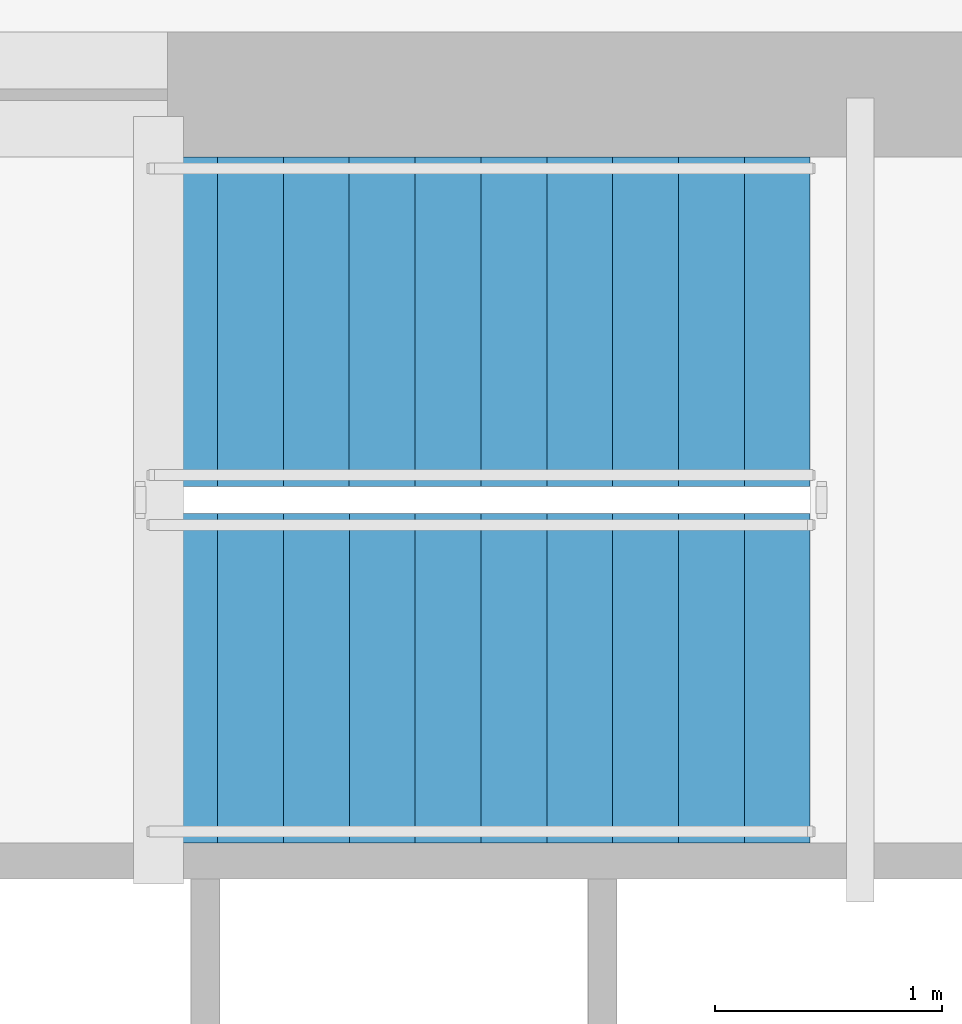
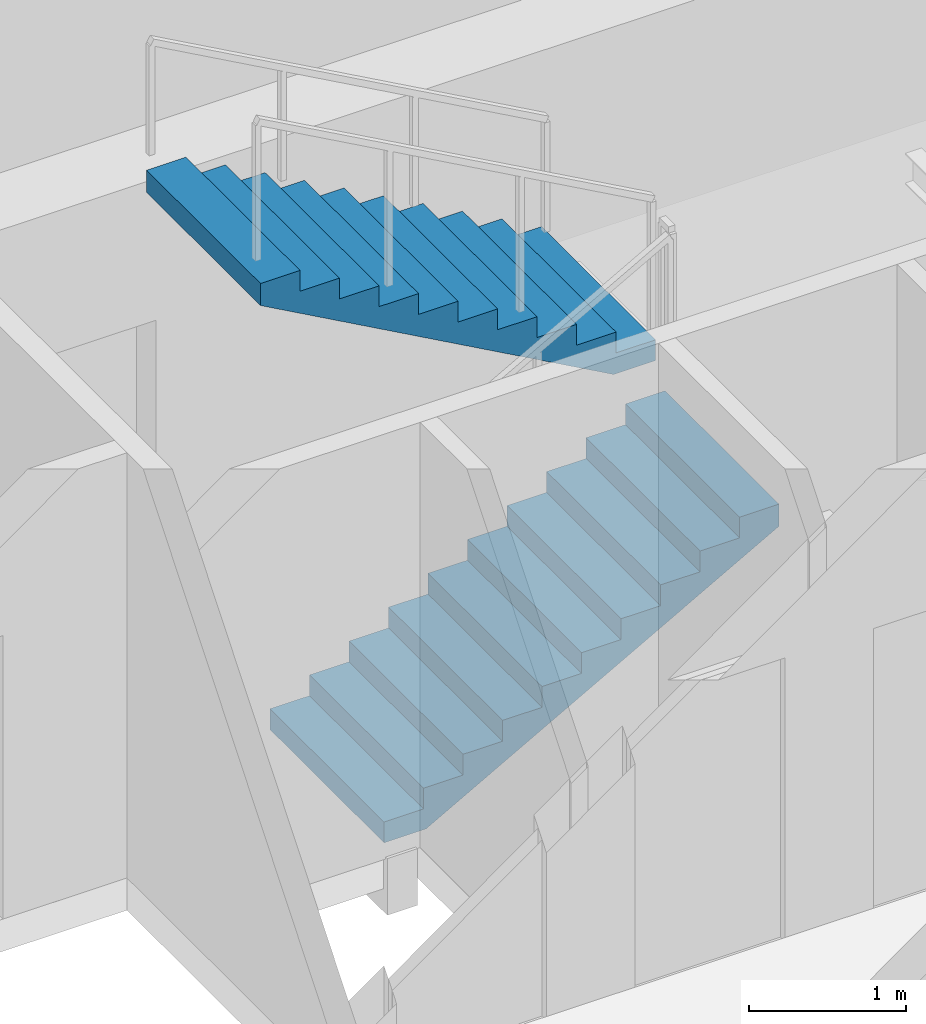
# One storey, part 11 of 14: 2 stair flights, 1 element without a shape of its own.
"""IFC4 building model written with IfcOpenShell, lengths in metres."""

from ifc_helpers import new_model, si_unit, direction, frame, origin, place, context, subcontext, project, spatial, polyline, outline, extrude, material, type_object, element, aggregate, save


model = new_model("IFC4")

# Units and contexts
model_context = context("Model", 3, precision=1e-05, world=origin(), true_north=direction((0.0, 1.0)))
body_context = subcontext(model_context, "Body", "Model", "MODEL_VIEW")
ifc_project = project(units=[si_unit("LENGTHUNIT", "METRE"), si_unit("AREAUNIT", "SQUARE_METRE"), si_unit("VOLUMEUNIT", "CUBIC_METRE"), si_unit("PLANEANGLEUNIT", "RADIAN"), si_unit("MASSUNIT", "GRAM", prefix="KILO")], contexts=[model_context])

# Site, building, storey
site_placement = place(None, origin())
site = spatial("IfcSite", under=ifc_project, at=site_placement, CompositionType="ELEMENT")
building_placement = place(site_placement, origin())
building = spatial("IfcBuilding", under=site, at=building_placement, Name="Olszyna Solenne Hotel", CompositionType="ELEMENT")
storey_placement = place(building_placement, frame((0.0, 0.0, 153.699951171875)))
storey = spatial("IfcBuildingStorey", under=building, at=storey_placement, Name="L40", CompositionType="ELEMENT", Elevation=153.699951171875)

# Stair, stair flights
ifc_material = material(Name="Concrete C40/50", Category="concrete")
stair_type = type_object("IfcStairType", Name="STR-C1", PredefinedType="TWO_QUARTER_WINDING_STAIR", material=ifc_material)
stair_placement = place(storey_placement, origin())
stair = element("IfcStair", 1, at=stair_placement, inside=storey, type_object=stair_type, Name="L40 ST3", PredefinedType="TWO_QUARTER_WINDING_STAIR")
stair_flight_type = type_object("IfcStairFlightType", Name="FLT-C1", PredefinedType="STRAIGHT", material=ifc_material)
stair_flight_1_placement = place(storey_placement, frame((34.72998046875, 31.405029296875, 0.0), z_axis=(0.0, 0.0, 1.0), x_axis=(1.0, 0.0, 0.0)))
stair_flight_1 = element("IfcStairFlight", 2, at=stair_flight_1_placement, type_object=stair_flight_type, Name="ST3 flight 1", NumberOfRisers=11, NumberOfTreads=10, PredefinedType="STRAIGHT", RiserHeight=0.161363636, TreadLength=0.29, context=body_context, shape_type="SweptSolid", body=[
    extrude(outline(polyline([(0.0, 0.0), (0.0, 0.161376953125), (0.2900390625, 0.161376953125), (0.2900390625, 0.32275390625), (0.580078125, 0.32275390625), (0.580078125, 0.484130859375), (0.8701171875, 0.484130859375), (0.8701171875, 0.6455078125), (1.159912109375, 0.6455078125), (1.159912109375, 0.806884765625), (1.449951171875, 0.806884765625), (1.449951171875, 0.96826171875), (1.739990234375, 0.96826171875), (1.739990234375, 1.129638671875), (2.030029296875, 1.129638671875), (2.030029296875, 1.291015625), (2.320068359375, 1.291015625), (2.320068359375, 1.452392578125), (2.610107421875, 1.452392578125), (2.610107421875, 1.613525390625), (2.89990234375, 1.613525390625), (2.89990234375, 1.77490234375), (2.89990234375, 1.442138671875), (0.308349609375, 0.0), (0.0, 0.0)])), frame((0.0, 0.72509765625, 0.0), z_axis=(0.0, -1.0, 0.0), x_axis=(1.0, 0.0, 0.0)), (0.0, 0.0, 1.0), 1.449951171875),
])
stair_flight_2_placement = place(storey_placement, frame((37.6298828125, 32.97509765625, 1.775146484375), z_axis=(0.0, 0.0, 1.0), x_axis=(-1.0, 0.0, 0.0)))
stair_flight_2 = element("IfcStairFlight", 3, at=stair_flight_2_placement, type_object=stair_flight_type, Name="ST3 flight 2", NumberOfRisers=11, NumberOfTreads=10, PredefinedType="STRAIGHT", RiserHeight=0.161363636, TreadLength=0.29, context=body_context, shape_type="SweptSolid", body=[
    extrude(outline(polyline([(0.0, 0.0), (0.0, 0.161376953125), (0.2900390625, 0.161376953125), (0.2900390625, 0.32275390625), (0.580078125, 0.32275390625), (0.580078125, 0.484130859375), (0.8701171875, 0.484130859375), (0.8701171875, 0.6455078125), (1.159912109375, 0.6455078125), (1.159912109375, 0.806884765625), (1.449951171875, 0.806884765625), (1.449951171875, 0.96826171875), (1.739990234375, 0.96826171875), (1.739990234375, 1.129638671875), (2.030029296875, 1.129638671875), (2.030029296875, 1.291015625), (2.320068359375, 1.291015625), (2.320068359375, 1.452392578125), (2.610107421875, 1.452392578125), (2.610107421875, 1.613525390625), (2.89990234375, 1.613525390625), (2.89990234375, 1.77490234375), (2.89990234375, 1.442138671875), (0.308349609375, 0.0), (0.0, 0.0)])), frame((0.0, 0.72509765625, 0.0), z_axis=(0.0, -1.0, 0.0), x_axis=(1.0, 0.0, 0.0)), (0.0, 0.0, 1.0), 1.449951171875),
])
aggregate(stair, [stair_flight_1, stair_flight_2])

save(model, "model.ifc")
